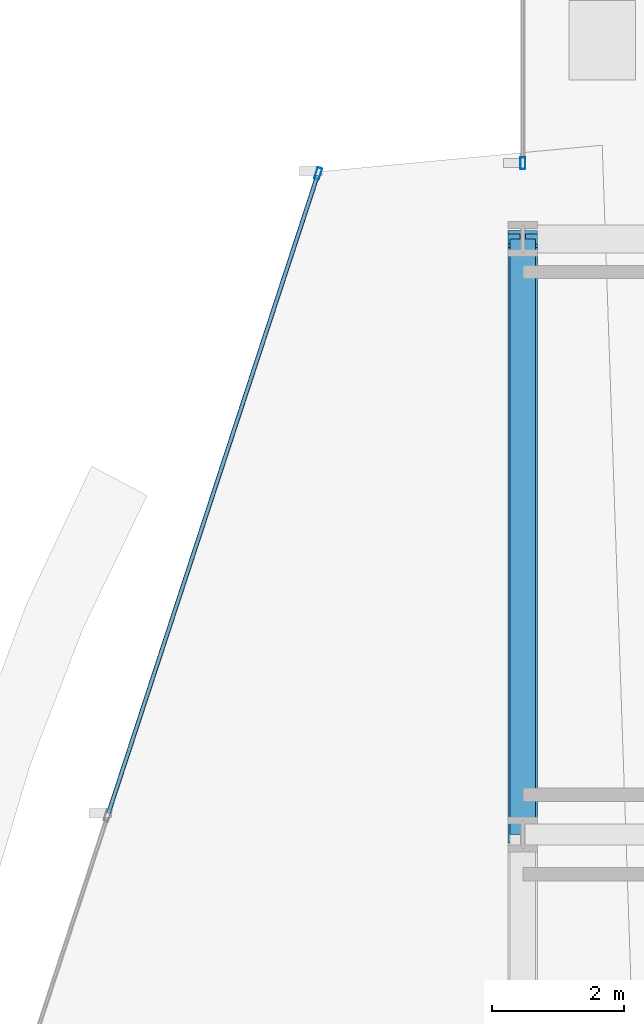
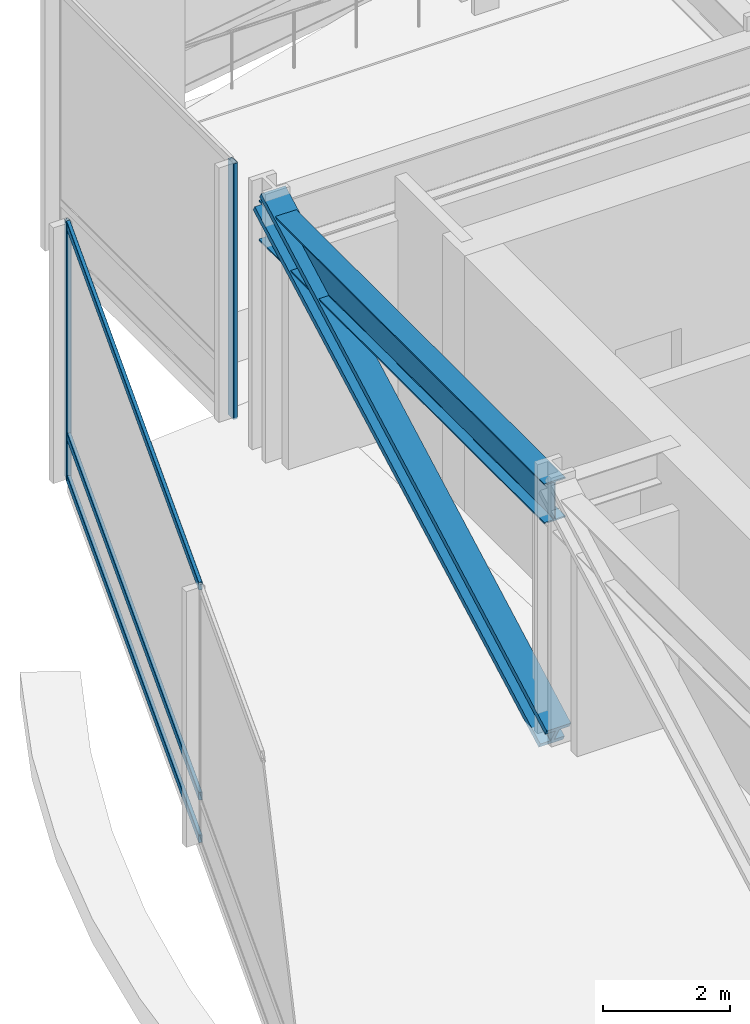
# One storey, part 17 of 37: 6 members, 1 beam, 2 elements without a shape of their own.
"""IFC4 building model written with IfcOpenShell, lengths in metres."""

import ifcopenshell
import ifcopenshell.guid

model = None  # the IFC model being written
_history = None  # IfcOwnerHistory: only IFC2X3 demands one
_inside = {}  # id of a spatial element -> (the spatial element, [elements in it])
_under = {}  # id of a project, library or spatial element -> (it, [spatial elements below it])
_declared = {}  # id of a project -> (the project, [libraries it declares])
_typed = {}  # id of a type object -> (the type object, [elements of that type])
_made_of = {}  # id of a material, layer set ... -> (it, [elements and type objects made of it])


def new_model(schema):
    """Start an empty IFC model of exactly this schema.

    Asked for "IFC4X3", IfcOpenShell would pick the latest addendum, in which some entities
    have other attributes; the version numbers below select the first issue.
    IFC2X3 requires an IfcOwnerHistory on every rooted entity: one is made here for all.
    """
    global model, _history
    if schema == "IFC4X3":
        model = ifcopenshell.file(schema_version=(4, 3, 0, 0))
    else:
        model = ifcopenshell.file(schema=schema)
    _inside.clear()
    _under.clear()
    _declared.clear()
    _typed.clear()
    _made_of.clear()
    _history = None
    if model.schema == "IFC2X3":
        org = make("IfcOrganization", Name="unknown")
        user = make(
            "IfcPersonAndOrganization",
            ThePerson=make("IfcPerson", FamilyName="unknown"),
            TheOrganization=org,
        )
        app = make(
            "IfcApplication",
            ApplicationDeveloper=org,
            Version="unknown",
            ApplicationFullName="unknown",
            ApplicationIdentifier="unknown",
        )
        _history = make(
            "IfcOwnerHistory",
            OwningUser=user,
            OwningApplication=app,
            ChangeAction="ADDED",
            CreationDate=0,
        )
    return model


def make(cls, **values):
    """One entity of the class cls with the attributes given. An attribute that is None is left unset."""
    return model.create_entity(
        cls, **{name: value for name, value in values.items() if value is not None}
    )


def rooted(cls, **values):
    """An entity with a GlobalId (a new one), such as an element, a storey or a relation."""
    return make(cls, GlobalId=ifcopenshell.guid.new(), OwnerHistory=_history, **values)


def si_unit(unit_type, name, prefix=None):
    """IfcSIUnit, for example si_unit("LENGTHUNIT", "METRE", prefix="MILLI")."""
    return make("IfcSIUnit", UnitType=unit_type, Prefix=prefix, Name=name)


def assignment(units):
    """IfcUnitAssignment: the units of a project."""
    return None if units is None else make("IfcUnitAssignment", Units=units)


def point(xyz):
    """IfcCartesianPoint."""
    return None if xyz is None else make("IfcCartesianPoint", Coordinates=xyz)


def direction(xyz):
    """IfcDirection."""
    return None if xyz is None else make("IfcDirection", DirectionRatios=xyz)


def frame(location, z_axis=None, x_axis=None):
    """IfcAxis2Placement3D, a coordinate frame: its origin and axes. An axis left out is left unset."""
    return make(
        "IfcAxis2Placement3D",
        Location=point(location),
        Axis=direction(z_axis),
        RefDirection=direction(x_axis),
    )


def frame_2d(location, x_axis=None):
    """IfcAxis2Placement2D, a coordinate frame in the plane: its origin and x axis."""
    return make(
        "IfcAxis2Placement2D", Location=point(location), RefDirection=direction(x_axis)
    )


def origin():
    """The frame at (0, 0, 0) with its axes left unset."""
    return frame((0.0, 0.0, 0.0))


def origin_2d():
    """The frame at (0, 0) in the plane with its x axis left unset."""
    return frame_2d((0.0, 0.0))


def place(relative_to, where):
    """IfcLocalPlacement: puts the frame where relative to a parent placement (None: the world)."""
    return make(
        "IfcLocalPlacement", PlacementRelTo=relative_to, RelativePlacement=where
    )


def context(
    kind, dimensions, precision=None, world=None, true_north=None, identifier=None
):
    """IfcGeometricRepresentationContext, for example the 3D "Model" context."""
    return make(
        "IfcGeometricRepresentationContext",
        ContextIdentifier=identifier,
        ContextType=kind,
        CoordinateSpaceDimension=dimensions,
        Precision=precision,
        WorldCoordinateSystem=world,
        TrueNorth=true_north,
    )


def subcontext(parent, identifier, kind, view, scale=None):
    """IfcGeometricRepresentationSubContext, for example "Body" below "Model"."""
    return make(
        "IfcGeometricRepresentationSubContext",
        ContextIdentifier=identifier,
        ContextType=kind,
        ParentContext=parent,
        TargetScale=scale,
        TargetView=view,
    )


def project(units=None, contexts=None):
    """IfcProject with its units and contexts."""
    return rooted(
        "IfcProject",
        Name="project",
        RepresentationContexts=contexts,
        UnitsInContext=assignment(units),
    )


def spatial(cls, under=None, at=None, **own):
    """A site, building, storey or space (cls), placed at a placement, below another one or the project."""
    s = rooted(cls, ObjectPlacement=at, **own)
    if under is not None:
        _under.setdefault(under.id(), (under, []))[1].append(s)
    return s


def profile(cls, at=None, kind="AREA", **sizes):
    """A parametric profile (cls). Its sizes go by their IFC names, for example OverallWidth=200.0."""
    return make(cls, ProfileType=kind, Position=at, **sizes)


def hollow_rectangle(**sizes):
    """IfcRectangleHollowProfileDef."""
    return profile("IfcRectangleHollowProfileDef", **sizes)


def i_section(**sizes):
    """IfcIShapeProfileDef."""
    return profile("IfcIShapeProfileDef", **sizes)


def extrude(swept, where, along, depth):
    """IfcExtrudedAreaSolid: the profile swept, set in the frame where, extruded along a direction by depth."""
    return make(
        "IfcExtrudedAreaSolid",
        SweptArea=swept,
        Position=where,
        ExtrudedDirection=direction(along),
        Depth=depth,
    )


def shape(context_of_items, identifier, shape_type, items):
    """IfcShapeRepresentation: the items that make up one representation, for example the "Body"."""
    return make(
        "IfcShapeRepresentation",
        ContextOfItems=context_of_items,
        RepresentationIdentifier=identifier,
        RepresentationType=shape_type,
        Items=items,
    )


def material(Name=None, Category=None):
    """IfcMaterial."""
    return make("IfcMaterial", Name=Name, Category=Category)


def layer(
    of_material, thickness, ventilated=None, Name=None, Category=None, Priority=None
):
    """IfcMaterialLayer: one layer of a wall or slab, of a material (None: an air gap)."""
    return make(
        "IfcMaterialLayer",
        Material=of_material,
        LayerThickness=thickness,
        IsVentilated=ventilated,
        Name=Name,
        Category=Category,
        Priority=Priority,
    )


def layer_set(layers, Name=None):
    """IfcMaterialLayerSet."""
    return make("IfcMaterialLayerSet", MaterialLayers=layers, LayerSetName=Name)


def material_profile(
    of_material, cross_section, Name=None, Category=None, Priority=None
):
    """IfcMaterialProfile: a cross section and its material."""
    return make(
        "IfcMaterialProfile",
        Name=Name,
        Material=of_material,
        Profile=cross_section,
        Priority=Priority,
        Category=Category,
    )


def profile_set(profiles, Name=None, composite=None):
    """IfcMaterialProfileSet."""
    return make(
        "IfcMaterialProfileSet",
        Name=Name,
        MaterialProfiles=profiles,
        CompositeProfile=composite,
    )


def made_of(thing, what):
    """Note that an element or type object is made of a material, layer set ...; save() writes the relation."""
    if what is not None:
        _made_of.setdefault(what.id(), (what, []))[1].append(thing)
    return thing


def type_object(cls, material=None, **own):
    """A type object (cls), such as IfcWallType, which elements share."""
    return made_of(rooted(cls, **own), material)


def element(
    cls,
    number,
    at=None,
    inside=None,
    cuts=None,
    type_object=None,
    material=None,
    context=None,
    identifier="Body",
    shape_type=None,
    held_by="IfcProductDefinitionShape",
    body=None,
    shapes=None,
    **own,
):
    """One element of the class cls, such as IfcWall. Its Tag is "e" and its number.

    at: its placement. inside: the storey or other place that contains it. cuts: it is an
    opening in that element (IfcRelVoidsElement). A single representation is given by context,
    identifier, shape_type and body (its items); several are given by shapes. held_by: the class
    of the entity that holds the representations. save() writes the other relations.
    """
    e = rooted(cls, Tag="e%d" % number, ObjectPlacement=at, **own)
    if body is not None:
        shapes = [shape(context, identifier, shape_type, body)]
    if shapes is not None:
        e.Representation = make(held_by, Representations=shapes)
    if inside is not None:
        _inside.setdefault(inside.id(), (inside, []))[1].append(e)
    if cuts is not None:
        rooted(
            "IfcRelVoidsElement", RelatingBuildingElement=cuts, RelatedOpeningElement=e
        )
    if type_object is not None:
        _typed.setdefault(type_object.id(), (type_object, []))[1].append(e)
    return made_of(e, material)


def aggregate(whole, parts):
    """IfcRelAggregates: a whole, such as a stair, and the parts it consists of."""
    return rooted("IfcRelAggregates", RelatingObject=whole, RelatedObjects=parts)


def save(model, path):
    """Write the relations noted so far, then the file.

    IfcRelAggregates (storeys below a building ...), IfcRelContainedInSpatialStructure (elements
    in a storey), IfcRelDefinesByType, IfcRelAssociatesMaterial and IfcRelDeclares: one each for
    every whole, place, type object, material and project.
    """
    for whole, parts in _under.values():
        aggregate(whole, parts)
    for where, things in _inside.values():
        rooted(
            "IfcRelContainedInSpatialStructure",
            RelatedElements=things,
            RelatingStructure=where,
        )
    for kind, things in _typed.values():
        rooted("IfcRelDefinesByType", RelatedObjects=things, RelatingType=kind)
    for what, things in _made_of.values():
        rooted("IfcRelAssociatesMaterial", RelatedObjects=things, RelatingMaterial=what)
    for by, libraries in _declared.values():
        rooted("IfcRelDeclares", RelatingContext=by, RelatedDefinitions=libraries)
    model.write(path)


model = new_model("IFC4")

# Units and contexts
model_context = context("Model", 3, precision=1e-05, world=origin(), true_north=direction((0.0, 1.0)))
body_context = subcontext(model_context, "Body", "Model", "MODEL_VIEW")
ifc_project = project(units=[si_unit("LENGTHUNIT", "METRE"), si_unit("AREAUNIT", "SQUARE_METRE"), si_unit("VOLUMEUNIT", "CUBIC_METRE"), si_unit("PLANEANGLEUNIT", "RADIAN"), si_unit("MASSUNIT", "GRAM", prefix="KILO")], contexts=[model_context])

# Site, building, storey
site_placement = place(None, origin())
site = spatial("IfcSite", under=ifc_project, at=site_placement, CompositionType="ELEMENT")
building_placement = place(site_placement, origin())
building = spatial("IfcBuilding", under=site, at=building_placement, Name="Solvaryn Broadcast Tower", CompositionType="ELEMENT")
storey_placement = place(building_placement, frame((0.0, 0.0, 30.800048828125)))
storey = spatial("IfcBuildingStorey", under=building, at=storey_placement, Name="L06", CompositionType="ELEMENT", Elevation=30.800048828125)

# Beam
ifc_material_1 = material(Name="Steel ASTM A992 Grade 50", Category="steel")
ifc_material_profile_1 = material_profile(ifc_material_1, i_section(OverallWidth=0.381103515625, OverallDepth=0.77294921875, WebThickness=0.0166015625, FlangeThickness=0.027099609375, FilletRadius=0.01806640625, at=origin_2d()))
ifc_profile_set_1 = profile_set([ifc_material_profile_1], Name="Steel ASTM A992 Grade 50")
beam_type = type_object("IfcBeamType", Name="BM-SP1-W30X173", PredefinedType="USERDEFINED", material=ifc_profile_set_1)
beam_placement = place(storey_placement, frame((9.0, 36.0, 4.533447265625), z_axis=(0.0, 1.0, 0.0), x_axis=(-1.0, 0.0, 0.0)))
element("IfcBeam", 1, at=beam_placement, inside=storey, type_object=beam_type, Name="L06 Spandrel Beam Y (36-45 @ X=9)", ObjectType="SPANDREL", PredefinedType="USERDEFINED", context=body_context, shape_type="SweptSolid", body=[
    extrude(i_section(OverallWidth=0.381103515625, OverallDepth=0.77294921875, WebThickness=0.0166015625, FlangeThickness=0.027099609375, FilletRadius=0.01806640625, at=origin_2d()), origin(), (0.0, 0.0, 1.0), 9.0),
])

# Curtain wall, member
ifc_material_2 = material(Name="Aluminium and Terracotta Unitised Curtain Wall", Category="masonry")
ifc_layer = layer(ifc_material_2, 0.199951171875)
ifc_layer_set = layer_set([ifc_layer], Name="CW-SYS2-LOWMID")
curtain_wall_type = type_object("IfcCurtainWallType", Name="CW-SYS2-LOWMID", PredefinedType="NOTDEFINED", material=ifc_layer_set)
curtain_wall_1_placement = place(storey_placement, origin())
curtain_wall_1 = element("IfcCurtainWall", 2, at=curtain_wall_1_placement, inside=storey, type_object=curtain_wall_type, Name="L06 Curtain Wall DR1", PredefinedType="NOTDEFINED")
ifc_material_3 = material(Name="Anodised Aluminium 6063-T6", Category="aluminium")
ifc_material_profile_2 = material_profile(ifc_material_3, hollow_rectangle(XDim=0.074951171875, YDim=0.179931640625, WallThickness=0.00390625, InnerFilletRadius=0.00390625, OuterFilletRadius=0.008056640625, at=origin_2d()))
ifc_profile_set_2 = profile_set([ifc_material_profile_2], Name="Anodised Aluminium 6063-T6")
member_type_1 = type_object("IfcMemberType", Name="CW-MUL-180", PredefinedType="MULLION", material=ifc_profile_set_2)
member_1_placement = place(storey_placement, frame((5.90673828125, 45.987548828125, 0.0), z_axis=(0.0, 0.0, 1.0), x_axis=(0.950215318429, -0.311594044587, 0.0)))
member_1 = element("IfcMember", 3, at=member_1_placement, type_object=member_type_1, Name="CWS2 mullion 1", PredefinedType="MULLION", context=body_context, shape_type="SweptSolid", body=[
    extrude(hollow_rectangle(XDim=0.074951171875, YDim=0.179931640625, WallThickness=0.00390625, InnerFilletRadius=0.00390625, OuterFilletRadius=0.008056640625, at=origin_2d()), origin(), (0.0, 0.0, 1.0), 4.919921875),
])

curtain_wall_2_placement = place(storey_placement, origin())
curtain_wall_2 = element("IfcCurtainWall", 4, at=curtain_wall_2_placement, inside=storey, type_object=curtain_wall_type, Name="L06 Curtain Wall W2", PredefinedType="NOTDEFINED")
member_2_placement = place(storey_placement, frame((9.0, 46.14599609375, 0.0), z_axis=(0.0, 0.0, 1.0), x_axis=(-1.0, 0.0, 0.0)))
member_2 = element("IfcMember", 5, at=member_2_placement, type_object=member_type_1, Name="CWS2 mullion 1", PredefinedType="MULLION", context=body_context, shape_type="SweptSolid", body=[
    extrude(hollow_rectangle(XDim=0.074951171875, YDim=0.179931640625, WallThickness=0.00390625, InnerFilletRadius=0.00390625, OuterFilletRadius=0.008056640625, at=origin_2d()), origin(), (0.0, 0.0, 1.0), 4.919921875),
])
aggregate(curtain_wall_2, [member_2])

# Member
ifc_material_4 = material(Name="Anodised Aluminium 6063-T6", Category="aluminium")
ifc_material_profile_3 = material_profile(ifc_material_4, hollow_rectangle(XDim=0.06494140625, YDim=0.14990234375, WallThickness=0.00390625, InnerFilletRadius=0.00390625, OuterFilletRadius=0.008056640625, at=origin_2d()))
ifc_profile_set_3 = profile_set([ifc_material_profile_3], Name="Anodised Aluminium 6063-T6")
member_type_2 = type_object("IfcMemberType", Name="CW-TRN-150", PredefinedType="USERDEFINED", material=ifc_profile_set_3)
member_3_placement = place(storey_placement, frame((5.897216796875, 45.958984375, 0.030029296875), z_axis=(-0.311583076016, -0.950218915167, 0.0), x_axis=(0.950218915167, -0.311583076016, 0.0)))
member_3 = element("IfcMember", 6, at=member_3_placement, type_object=member_type_2, Name="CWS2 transom 1.1", ObjectType="TRANSOM", PredefinedType="USERDEFINED", context=body_context, shape_type="SweptSolid", body=[
    extrude(hollow_rectangle(XDim=0.06494140625, YDim=0.14990234375, WallThickness=0.00390625, InnerFilletRadius=0.00390625, OuterFilletRadius=0.008056640625, at=origin_2d()), origin(), (0.0, 0.0, 1.0), 10.147705078125),
])

member_4_placement = place(storey_placement, frame((5.897216796875, 45.958984375, 0.849853515625), z_axis=(-0.311583076016, -0.950218915167, 0.0), x_axis=(0.950218915167, -0.311583076016, 0.0)))
member_4 = element("IfcMember", 7, at=member_4_placement, type_object=member_type_2, Name="CWS2 transom 1.2", ObjectType="TRANSOM", PredefinedType="USERDEFINED", context=body_context, shape_type="SweptSolid", body=[
    extrude(hollow_rectangle(XDim=0.06494140625, YDim=0.14990234375, WallThickness=0.00390625, InnerFilletRadius=0.00390625, OuterFilletRadius=0.008056640625, at=origin_2d()), origin(), (0.0, 0.0, 1.0), 10.147705078125),
])

member_5_placement = place(storey_placement, frame((5.897216796875, 45.958984375, 4.889892578125), z_axis=(-0.311583076016, -0.950218915167, 0.0), x_axis=(0.950218915167, -0.311583076016, 0.0)))
member_5 = element("IfcMember", 8, at=member_5_placement, type_object=member_type_2, Name="CWS2 transom 1.3", ObjectType="TRANSOM", PredefinedType="USERDEFINED", context=body_context, shape_type="SweptSolid", body=[
    extrude(hollow_rectangle(XDim=0.06494140625, YDim=0.14990234375, WallThickness=0.00390625, InnerFilletRadius=0.00390625, OuterFilletRadius=0.008056640625, at=origin_2d()), origin(), (0.0, 0.0, 1.0), 10.147705078125),
])

aggregate(curtain_wall_1, [member_1, member_3, member_4, member_5])

ifc_material_5 = material(Name="Steel ASTM A913 Grade 65", Category="steel")
ifc_material_profile_4 = material_profile(ifc_material_5, i_section(OverallWidth=0.44189453125, OverallDepth=0.531005859375, WebThickness=0.06591796875, FlangeThickness=0.105712890625, FilletRadius=0.014892578125, at=origin_2d()))
ifc_profile_set_4 = profile_set([ifc_material_profile_4], Name="Steel ASTM A913 Grade 65")
member_type_3 = type_object("IfcMemberType", Name="MB-TRUSS-CHORD", PredefinedType="CHORD", material=ifc_profile_set_4)
member_6_placement = place(storey_placement, frame((9.0, 36.0, 0.02001953125), z_axis=(0.0, 0.879092151416, 0.476651853367), x_axis=(-1.0, 0.0, 0.0)))
element("IfcMember", 9, at=member_6_placement, inside=storey, type_object=member_type_3, Name="L06 Transfer Belt Chord 12", PredefinedType="CHORD", context=body_context, shape_type="SweptSolid", body=[
    extrude(i_section(OverallWidth=0.44189453125, OverallDepth=0.531005859375, WebThickness=0.06591796875, FlangeThickness=0.105712890625, FilletRadius=0.014892578125, at=origin_2d()), origin(), (0.0, 0.0, 1.0), 10.23779296875),
])

save(model, "model.ifc")
